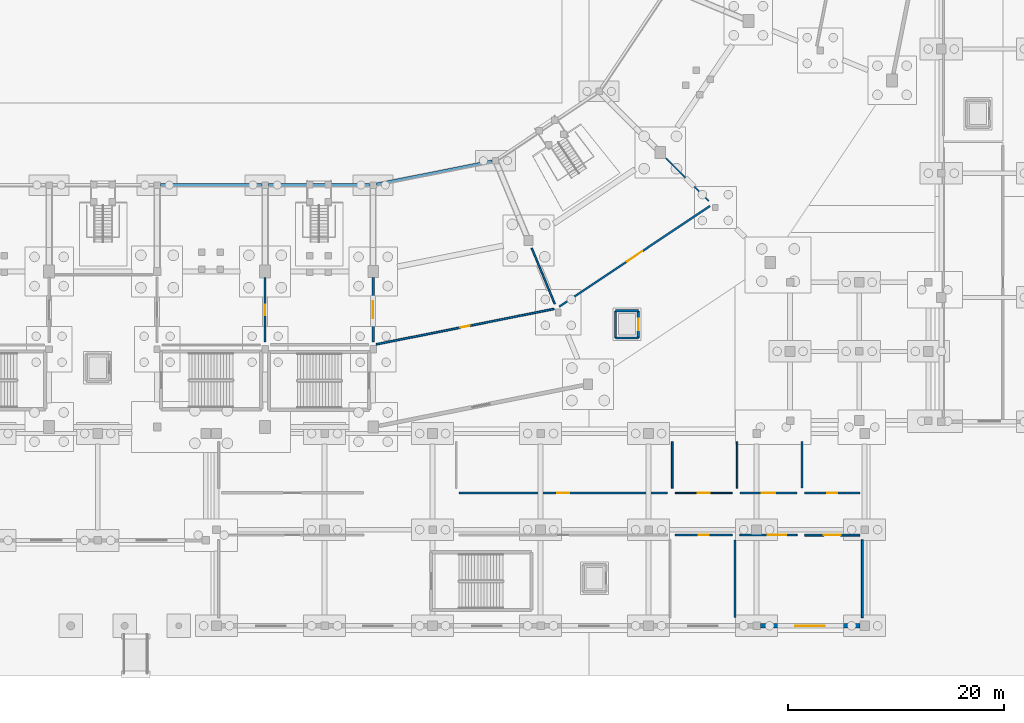
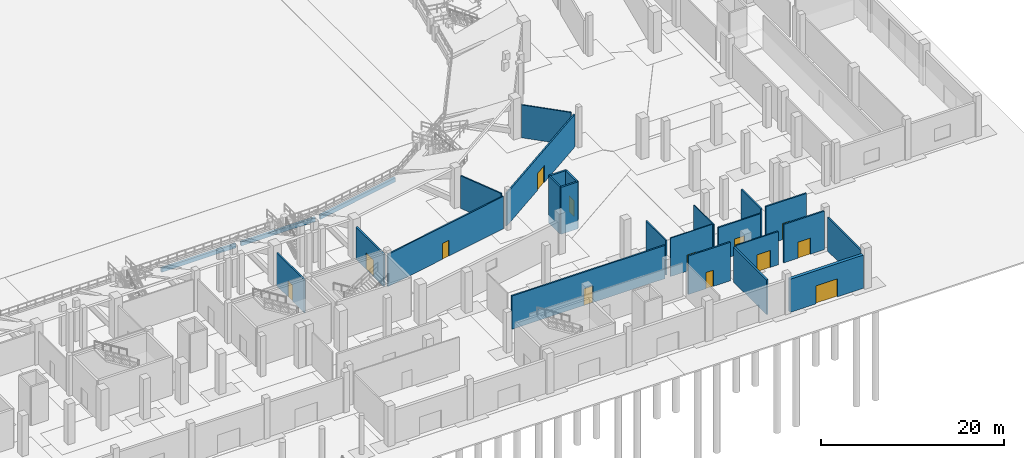
# One storey, part 32 of 68: 26 walls, 13 doors, 13 openings.
"""IFC4 building model written with IfcOpenShell, lengths in metres."""

from ifc_helpers import new_model, si_unit, direction, frame, frame_2d, origin, place, context, subcontext, project, spatial, rectangle, extrude, material, layer, layer_set, type_object, element, fill, save


model = new_model("IFC4")

# Units and contexts
model_context = context("Model", 3, precision=1e-05, world=origin(), true_north=direction((0.0, 1.0)))
body_context = subcontext(model_context, "Body", "Model", "MODEL_VIEW")
ifc_project = project(units=[si_unit("LENGTHUNIT", "METRE"), si_unit("AREAUNIT", "SQUARE_METRE"), si_unit("VOLUMEUNIT", "CUBIC_METRE"), si_unit("PLANEANGLEUNIT", "RADIAN"), si_unit("MASSUNIT", "GRAM", prefix="KILO")], contexts=[model_context])

# Site, building, storey
site_placement = place(None, origin())
site = spatial("IfcSite", under=ifc_project, at=site_placement, CompositionType="ELEMENT")
building_placement = place(site_placement, origin())
building = spatial("IfcBuilding", under=site, at=building_placement, Name="Candeia Ridge Stadium", CompositionType="ELEMENT")
storey_placement = place(building_placement, origin())
storey = spatial("IfcBuildingStorey", under=building, at=storey_placement, Name="L00", CompositionType="ELEMENT", Elevation=0.0)

# Walls
ifc_material_1 = material(Name="Gypsum Metal-Stud Partition", Category="gypsum")
ifc_layer_1 = layer(ifc_material_1, 0.14501953125, Name="Gypsum Metal-Stud Partition", Category="gypsum")
ifc_layer_set_1 = layer_set([ifc_layer_1], Name="Gypsum Metal-Stud Partition")
wall_type_1 = type_object("IfcWallType", Name="Athlete Recovery Partition 145", PredefinedType="PARTITIONING", material=ifc_layer_set_1)
wall_1_placement = place(storey_placement, frame((168.117431640625, 43.882568359375, 0.0), z_axis=(0.0, 0.0, 1.0), x_axis=(0.707106781187, -0.707106781187, 0.0)))
element("IfcWall", 1, at=wall_1_placement, inside=storey, type_object=wall_type_1, Name="Demising partition PT-L00-0161", PredefinedType="PARTITIONING", context=body_context, shape_type="SweptSolid", body=[
    extrude(rectangle(XDim=5.600341796875, YDim=0.14501953125, at=frame_2d((2.80029296875, 0.0))), origin(), (0.0, 0.0, 1.0), 4.375),
])
ifc_material_2 = material(Name="Gypsum Acoustic Twin-Stud Assembly", Category="gypsum")
ifc_layer_2 = layer(ifc_material_2, 0.159912109375, Name="Gypsum Acoustic Twin-Stud Assembly", Category="gypsum")
ifc_layer_set_2 = layer_set([ifc_layer_2], Name="Gypsum Acoustic Twin-Stud Assembly")
wall_type_2 = type_object("IfcWallType", Name="Club Dining Acoustic Partition 160", PredefinedType="PARTITIONING", material=ifc_layer_set_2)
wall_2_placement = place(storey_placement, frame((168.699951171875, 13.35009765625, 0.0), z_axis=(0.0, 0.0, 1.0), x_axis=(0.0, 1.0, 0.0)))
element("IfcWall", 2, at=wall_2_placement, inside=storey, type_object=wall_type_2, Name="Demising partition PT-L00-0075", PredefinedType="PARTITIONING", context=body_context, shape_type="SweptSolid", body=[
    extrude(rectangle(XDim=4.2998046875, YDim=0.159912109375, at=frame_2d((2.14990234375, 0.0))), origin(), (0.0, 0.0, 1.0), 4.625),
])
wall_3_placement = place(storey_placement, frame((155.67578125, 35.5693359375, 0.0), z_axis=(0.0, 0.0, 1.0), x_axis=(0.382682918336, -0.923879745429, 0.0)))
element("IfcWall", 3, at=wall_3_placement, inside=storey, type_object=wall_type_2, Name="Demising partition PT-L00-0159", PredefinedType="PARTITIONING", context=body_context, shape_type="SweptSolid", body=[
    extrude(rectangle(XDim=5.60009765625, YDim=0.159912109375, at=frame_2d((2.800048828125, 0.0))), origin(), (0.0, 0.0, 1.0), 4.344970703125),
])
ifc_layer_3 = layer(ifc_material_2, 0.179931640625, Name="Gypsum Acoustic Twin-Stud Assembly", Category="gypsum")
ifc_layer_set_3 = layer_set([ifc_layer_3], Name="Gypsum Acoustic Twin-Stud Assembly")
wall_type_3 = type_object("IfcWallType", Name="Corridor Fire Partition 180", PredefinedType="PARTITIONING", material=ifc_layer_set_3)
wall_4_placement = place(storey_placement, frame((186.300048828125, 8.550048828125, 0.0), z_axis=(0.0, 0.0, 1.0), x_axis=(0.0, -1.0, 0.0)))
element("IfcWall", 4, at=wall_4_placement, inside=storey, type_object=wall_type_3, Name="Demising partition PT-L00-0080", PredefinedType="PARTITIONING", context=body_context, shape_type="SweptSolid", body=[
    extrude(rectangle(XDim=7.199951171875, YDim=0.179931640625, at=frame_2d((3.60009765625, 0.0))), origin(), (0.0, 0.0, 1.0), 4.47509765625),
])

# Wall, opening, door
wall_5_placement = place(storey_placement, frame((172.1875, 39.465576171875, 0.0), z_axis=(0.0, 0.0, 1.0), x_axis=(-0.831467963177, -0.555572701103, 0.0)))
wall_5 = element("IfcWall", 5, at=wall_5_placement, inside=storey, type_object=wall_type_3, Name="Interior partition PT-L00-0160", PredefinedType="PARTITIONING", context=body_context, shape_type="SweptSolid", body=[
    extrude(rectangle(XDim=16.782958984375, YDim=0.179931640625, at=frame_2d((8.3916015625, 0.0))), origin(), (0.0, 0.0, 1.0), 4.344970703125),
])
opening_1_placement = place(wall_5_placement, frame((7.54150390625, 0.0, 0.0)))
opening_1 = element("IfcOpeningElement", 6, at=opening_1_placement, cuts=wall_5, Name="Opening ID09", PredefinedType="OPENING", context=body_context, shape_type="SweptSolid", body=[
    extrude(rectangle(XDim=1.699951171875, YDim=2.25, at=frame_2d((0.85009765625, 1.125))), frame((0.0, 0.099853515625, 0.0), z_axis=(0.0, -1.0, 0.0), x_axis=(1.0, 0.0, 0.0)), (0.0, 0.0, 1.0), 0.199951171875),
])
ifc_material_3 = material(Name="Timber Fire-Rated Acoustic", Category="wood")
door_type_1 = type_object("IfcDoorType", Name="Founders Lounge Double Door 1700x2250", OperationType="NOTDEFINED", PredefinedType="DOOR", material=ifc_material_3)
door_1_placement = place(opening_1_placement, origin())
door_1 = element("IfcDoor", 7, at=door_1_placement, inside=storey, type_object=door_type_1, Name="Interior room door D-L00-0084", OperationType="DOUBLE_DOOR_SINGLE_SWING", OverallHeight=2.25, OverallWidth=1.699951171875, PredefinedType="DOOR", context=body_context, shape_type="SweptSolid", body=[
    extrude(rectangle(XDim=1.699951171875, YDim=2.25, at=frame_2d((0.85009765625, 1.125))), frame((0.0, 0.02490234375, 0.0), z_axis=(0.0, -1.0, 0.0), x_axis=(1.0, 0.0, 0.0)), (0.0, 0.0, 1.0), 0.050048828125),
])
fill(opening_1, door_1)

# Wall
ifc_material_4 = material(Name="Moisture-Resistant Masonry & Tile", Category="masonry")
ifc_layer_4 = layer(ifc_material_4, 0.22998046875, Name="Moisture-Resistant Masonry & Tile", Category="masonry")
ifc_layer_set_4 = layer_set([ifc_layer_4], Name="Moisture-Resistant Masonry & Tile")
wall_type_4 = type_object("IfcWallType", Name="Dressing Suite Wet-Wall Chase 230", PredefinedType="PLUMBINGWALL", material=ifc_layer_set_4)
wall_6_placement = place(storey_placement, frame((174.5, 8.550048828125, 0.0), z_axis=(0.0, 0.0, 1.0), x_axis=(0.0, -1.0, 0.0)))
element("IfcWall", 8, at=wall_6_placement, inside=storey, type_object=wall_type_4, Name="Demising partition PT-L00-0073", PredefinedType="PLUMBINGWALL", context=body_context, shape_type="SweptSolid", body=[
    extrude(rectangle(XDim=7.199951171875, YDim=0.22998046875, at=frame_2d((3.60009765625, 0.0))), origin(), (0.0, 0.0, 1.0), 4.625),
])

# Wall, opening, door
ifc_material_5 = material(Name="Concrete C40/50", Category="concrete")
ifc_layer_5 = layer(ifc_material_5, 0.3798828125, Name="Concrete C40/50", Category="concrete")
ifc_layer_set_5 = layer_set([ifc_layer_5], Name="Concrete C40/50")
wall_type_5 = type_object("IfcWallType", Name="Exterior Museum Gallery Wall 380", PredefinedType="SOLIDWALL", material=ifc_layer_set_5)
wall_7_placement = place(storey_placement, frame((176.837890625, 0.60009765625, 0.0), z_axis=(0.0, 0.0, 1.0), x_axis=(1.0, 0.0, 0.0)))
wall_7 = element("IfcWall", 9, at=wall_7_placement, inside=storey, type_object=wall_type_5, Name="Exterior facade wall EW-L00-0165", PredefinedType="SOLIDWALL", context=body_context, shape_type="SweptSolid", body=[
    extrude(rectangle(XDim=9.22412109375, YDim=0.3798828125, at=frame_2d((4.612060546875, 0.0))), origin(), (0.0, 0.0, 1.0), 4.425048828125),
])
opening_2_placement = place(wall_7_placement, frame((3.237060546875, 0.0, 0.0)))
opening_2 = element("IfcOpeningElement", 10, at=opening_2_placement, cuts=wall_7, Name="Opening ED01", PredefinedType="OPENING", context=body_context, shape_type="SweptSolid", body=[
    extrude(rectangle(XDim=2.75, YDim=2.39990234375, at=frame_2d((1.375, 1.199951171875))), frame((0.0, 0.199951171875, 0.0), z_axis=(0.0, -1.0, 0.0), x_axis=(1.0, 0.0, 0.0)), (0.0, 0.0, 1.0), 0.39990234375),
])
ifc_material_6 = material(Name="Aluminium Anodized Glazed Door", Category="aluminium")
door_type_2 = type_object("IfcDoorType", Name="Pedestrian Exit Double Door 2750x2400", OperationType="NOTDEFINED", PredefinedType="DOOR", material=ifc_material_6)
door_2_placement = place(opening_2_placement, frame((2.75, 0.0, 0.0), z_axis=(0.0, 0.0, 1.0), x_axis=(-1.0, 0.0, 0.0)))
door_2 = element("IfcDoor", 11, at=door_2_placement, inside=storey, type_object=door_type_2, Name="Pedestrian exit gate G26", OperationType="DOUBLE_DOOR_SINGLE_SWING", OverallHeight=2.39990234375, OverallWidth=2.75, PredefinedType="DOOR", context=body_context, shape_type="SweptSolid", body=[
    extrude(rectangle(XDim=2.75, YDim=2.39990234375, at=frame_2d((1.375, 1.199951171875))), frame((0.0, 0.02490234375, 0.0), z_axis=(0.0, -1.0, 0.0), x_axis=(1.0, 0.0, 0.0)), (0.0, 0.0, 1.0), 0.050048828125),
])
fill(opening_2, door_2)

# Wall
ifc_layer_6 = layer(ifc_material_5, 0.219970703125, Name="Concrete C40/50", Category="concrete")
ifc_layer_set_6 = layer_set([ifc_layer_6], Name="Concrete C40/50")
wall_type_6 = type_object("IfcWallType", Name="Lift & Riser Shaft Wall 220", PredefinedType="SHEAR", material=ifc_layer_set_6)
wall_8_placement = place(storey_placement, frame((163.43994140625, 27.239990234375, -1.10009765625), z_axis=(0.0, 0.0, 1.0), x_axis=(1.0, 0.0, 0.0)))
element("IfcWall", 12, at=wall_8_placement, inside=storey, type_object=wall_type_6, Name="Lift EL1 shaft wall L00 south", PredefinedType="SHEAR", context=body_context, shape_type="SweptSolid", body=[
    extrude(rectangle(XDim=2.1201171875, YDim=0.219970703125, at=frame_2d((1.06005859375, 0.0))), origin(), (0.0, 0.0, 1.0), 6.239990234375),
])

# Wall, opening, door
wall_9_placement = place(storey_placement, frame((165.56005859375, 27.239990234375, -1.10009765625), z_axis=(0.0, 0.0, 1.0), x_axis=(0.0, 1.0, 0.0)))
wall_9 = element("IfcWall", 13, at=wall_9_placement, inside=storey, type_object=wall_type_6, Name="Lift EL1 shaft wall L00 east", PredefinedType="SHEAR", context=body_context, shape_type="SweptSolid", body=[
    extrude(rectangle(XDim=2.52001953125, YDim=0.219970703125, at=frame_2d((1.260009765625, 0.0))), origin(), (0.0, 0.0, 1.0), 6.239990234375),
])
opening_3_placement = place(wall_9_placement, frame((0.735107421875, 0.0, 1.10009765625)))
opening_3 = element("IfcOpeningElement", 14, at=opening_3_placement, cuts=wall_9, Name="Opening LD02", PredefinedType="OPENING", context=body_context, shape_type="SweptSolid", body=[
    extrude(rectangle(XDim=1.050048828125, YDim=2.14990234375, at=frame_2d((0.52490234375, 1.074951171875))), frame((0.0, 0.119873046875, 0.0), z_axis=(0.0, -1.0, 0.0), x_axis=(1.0, 0.0, 0.0)), (0.0, 0.0, 1.0), 0.239990234375),
])
ifc_material_7 = material(Name="Brushed Stainless Steel", Category="steel")
door_type_3 = type_object("IfcDoorType", Name="Passenger Lift Landing Door 1050x2150", OperationType="NOTDEFINED", PredefinedType="DOOR", material=ifc_material_7)
door_3_placement = place(opening_3_placement, origin())
door_3 = element("IfcDoor", 15, at=door_3_placement, inside=storey, type_object=door_type_3, Name="Lift landing sliding door LD-EL1-L00", OperationType="DOUBLE_DOOR_SLIDING", OverallHeight=2.14990234375, OverallWidth=1.050048828125, PredefinedType="DOOR", context=body_context, shape_type="SweptSolid", body=[
    extrude(rectangle(XDim=1.050048828125, YDim=2.14990234375, at=frame_2d((0.52490234375, 1.074951171875))), frame((0.0, 0.02490234375, 0.0), z_axis=(0.0, -1.0, 0.0), x_axis=(1.0, 0.0, 0.0)), (0.0, 0.0, 1.0), 0.050048828125),
])
fill(opening_3, door_3)

# Walls
wall_10_placement = place(storey_placement, frame((165.56005859375, 29.760009765625, -1.10009765625), z_axis=(0.0, 0.0, 1.0), x_axis=(-1.0, 0.0, 0.0)))
element("IfcWall", 16, at=wall_10_placement, inside=storey, type_object=wall_type_6, Name="Lift EL1 shaft wall L00 north", PredefinedType="SHEAR", context=body_context, shape_type="SweptSolid", body=[
    extrude(rectangle(XDim=2.1201171875, YDim=0.219970703125, at=frame_2d((1.06005859375, 0.0))), origin(), (0.0, 0.0, 1.0), 6.239990234375),
])
wall_11_placement = place(storey_placement, frame((163.43994140625, 29.760009765625, -1.10009765625), z_axis=(0.0, 0.0, 1.0), x_axis=(0.0, -1.0, 0.0)))
element("IfcWall", 17, at=wall_11_placement, inside=storey, type_object=wall_type_6, Name="Lift EL1 shaft wall L00 west", PredefinedType="SHEAR", context=body_context, shape_type="SweptSolid", body=[
    extrude(rectangle(XDim=2.52001953125, YDim=0.219970703125, at=frame_2d((1.260009765625, 0.0))), origin(), (0.0, 0.0, 1.0), 6.239990234375),
])

# Wall, opening, door
ifc_material_8 = material(Name="Gypsum Acoustic Triple-Board Wall", Category="gypsum")
ifc_layer_7 = layer(ifc_material_8, 0.18994140625, Name="Gypsum Acoustic Triple-Board Wall", Category="gypsum")
ifc_layer_set_7 = layer_set([ifc_layer_7], Name="Gypsum Acoustic Triple-Board Wall")
wall_type_7 = type_object("IfcWallType", Name="Media & Commentary Studio Wall 190", PredefinedType="PARTITIONING", material=ifc_layer_set_7)
wall_12_placement = place(storey_placement, frame((168.949951171875, 9.0, 0.0), z_axis=(0.0, 0.0, 1.0), x_axis=(1.0, 0.0, 0.0)))
wall_12 = element("IfcWall", 18, at=wall_12_placement, inside=storey, type_object=wall_type_7, Name="Interior partition PT-L00-0072", PredefinedType="PARTITIONING", context=body_context, shape_type="SweptSolid", body=[
    extrude(rectangle(XDim=5.300048828125, YDim=0.18994140625, at=frame_2d((2.64990234375, 0.0))), origin(), (0.0, 0.0, 1.0), 5.1201171875),
])
opening_4_placement = place(wall_12_placement, frame((2.175048828125, 0.0, 0.0)))
opening_4 = element("IfcOpeningElement", 19, at=opening_4_placement, cuts=wall_12, Name="Opening ID05", PredefinedType="OPENING", context=body_context, shape_type="SweptSolid", body=[
    extrude(rectangle(XDim=0.949951171875, YDim=2.14990234375, at=frame_2d((0.47509765625, 1.074951171875))), frame((0.0, 0.10498046875, 0.0), z_axis=(0.0, -1.0, 0.0), x_axis=(1.0, 0.0, 0.0)), (0.0, 0.0, 1.0), 0.2099609375),
])
ifc_material_9 = material(Name="Solid Core Cedar Veneer", Category="wood")
door_type_4 = type_object("IfcDoorType", Name="General Room Single Door 950x2150", OperationType="NOTDEFINED", PredefinedType="DOOR", material=ifc_material_9)
door_4_placement = place(opening_4_placement, origin())
door_4 = element("IfcDoor", 20, at=door_4_placement, inside=storey, type_object=door_type_4, Name="Interior room door D-L00-0039", OperationType="SINGLE_SWING_RIGHT", OverallHeight=2.14990234375, OverallWidth=0.949951171875, PredefinedType="DOOR", context=body_context, shape_type="SweptSolid", body=[
    extrude(rectangle(XDim=0.949951171875, YDim=2.14990234375, at=frame_2d((0.47509765625, 1.074951171875))), frame((0.0, 0.02490234375, 0.0), z_axis=(0.0, -1.0, 0.0), x_axis=(1.0, 0.0, 0.0)), (0.0, 0.0, 1.0), 0.050048828125),
])
fill(opening_4, door_4)

wall_13_placement = place(storey_placement, frame((186.050048828125, 12.89990234375, 0.0), z_axis=(0.0, 0.0, 1.0), x_axis=(-1.0, 0.0, 0.0)))
wall_13 = element("IfcWall", 21, at=wall_13_placement, inside=storey, type_object=wall_type_7, Name="Interior partition PT-L00-0081", PredefinedType="PARTITIONING", context=body_context, shape_type="SweptSolid", body=[
    extrude(rectangle(XDim=5.10009765625, YDim=0.18994140625, at=frame_2d((2.550048828125, 0.0))), origin(), (0.0, 0.0, 1.0), 5.1201171875),
])
opening_5_placement = place(wall_13_placement, frame((2.070068359375, 0.0, 0.0)))
opening_5 = element("IfcOpeningElement", 22, at=opening_5_placement, cuts=wall_13, Name="Opening ID17", PredefinedType="OPENING", context=body_context, shape_type="SweptSolid", body=[
    extrude(rectangle(XDim=0.9599609375, YDim=2.14990234375, at=frame_2d((0.47998046875, 1.074951171875))), frame((0.0, 0.10498046875, 0.0), z_axis=(0.0, -1.0, 0.0), x_axis=(1.0, 0.0, 0.0)), (0.0, 0.0, 1.0), 0.2099609375),
])
door_type_5 = type_object("IfcDoorType", Name="Ticketing Office Single Door 960x2150", OperationType="NOTDEFINED", PredefinedType="DOOR", material=ifc_material_9)
door_5_placement = place(opening_5_placement, origin())
door_5 = element("IfcDoor", 23, at=door_5_placement, inside=storey, type_object=door_type_5, Name="Interior room door D-L00-0044", OperationType="SINGLE_SWING_LEFT", OverallHeight=2.14990234375, OverallWidth=0.9599609375, PredefinedType="DOOR", context=body_context, shape_type="SweptSolid", body=[
    extrude(rectangle(XDim=0.9599609375, YDim=2.14990234375, at=frame_2d((0.47998046875, 1.074951171875))), frame((0.0, 0.02490234375, 0.0), z_axis=(0.0, -1.0, 0.0), x_axis=(1.0, 0.0, 0.0)), (0.0, 0.0, 1.0), 0.050048828125),
])
fill(opening_5, door_5)

# Wall
wall_14_placement = place(storey_placement, frame((180.699951171875, 13.35009765625, 0.0), z_axis=(0.0, 0.0, 1.0), x_axis=(0.0, 1.0, 0.0)))
element("IfcWall", 24, at=wall_14_placement, inside=storey, type_object=wall_type_7, Name="Demising partition PT-L00-0082", PredefinedType="PARTITIONING", context=body_context, shape_type="SweptSolid", body=[
    extrude(rectangle(XDim=4.2998046875, YDim=0.18994140625, at=frame_2d((2.14990234375, 0.0))), origin(), (0.0, 0.0, 1.0), 4.625),
])

# Wall, opening, door
wall_15_placement = place(storey_placement, frame((131.0, 32.85009765625, 0.0), z_axis=(0.0, 0.0, 1.0), x_axis=(0.0, -1.0, 0.0)))
wall_15 = element("IfcWall", 25, at=wall_15_placement, inside=storey, type_object=wall_type_7, Name="Interior partition PT-L00-0154", PredefinedType="PARTITIONING", context=body_context, shape_type="SweptSolid", body=[
    extrude(rectangle(XDim=6.0, YDim=0.18994140625, at=frame_2d((3.0, 0.0))), origin(), (0.0, 0.0, 1.0), 4.385009765625),
])
opening_6_placement = place(wall_15_placement, frame((2.52001953125, 0.0, 0.0)))
opening_6 = element("IfcOpeningElement", 26, at=opening_6_placement, cuts=wall_15, Name="Opening ID17", PredefinedType="OPENING", context=body_context, shape_type="SweptSolid", body=[
    extrude(rectangle(XDim=0.9599609375, YDim=2.14990234375, at=frame_2d((0.47998046875, 1.074951171875))), frame((0.0, 0.10498046875, 0.0), z_axis=(0.0, -1.0, 0.0), x_axis=(1.0, 0.0, 0.0)), (0.0, 0.0, 1.0), 0.2099609375),
])
door_6_placement = place(opening_6_placement, frame((0.9599609375, 0.0, 0.0), z_axis=(0.0, 0.0, 1.0), x_axis=(-1.0, 0.0, 0.0)))
door_6 = element("IfcDoor", 27, at=door_6_placement, inside=storey, type_object=door_type_5, Name="Interior room door D-L00-0081", OperationType="SINGLE_SWING_RIGHT", OverallHeight=2.14990234375, OverallWidth=0.9599609375, PredefinedType="DOOR", context=body_context, shape_type="SweptSolid", body=[
    extrude(rectangle(XDim=0.9599609375, YDim=2.14990234375, at=frame_2d((0.47998046875, 1.074951171875))), frame((0.0, 0.02490234375, 0.0), z_axis=(0.0, -1.0, 0.0), x_axis=(1.0, 0.0, 0.0)), (0.0, 0.0, 1.0), 0.050048828125),
])
fill(opening_6, door_6)

ifc_layer_8 = layer(ifc_material_8, 0.18505859375, Name="Gypsum Acoustic Triple-Board Wall", Category="gypsum")
ifc_layer_set_8 = layer_set([ifc_layer_8], Name="Gypsum Acoustic Triple-Board Wall")
wall_type_8 = type_object("IfcWallType", Name="Media Booth Studio Divider 185", PredefinedType="PARTITIONING", material=ifc_layer_set_8)
wall_16_placement = place(storey_placement, frame((168.25, 12.89990234375, 0.0), z_axis=(0.0, 0.0, 1.0), x_axis=(-1.0, 0.0, 0.0)))
wall_16 = element("IfcWall", 28, at=wall_16_placement, inside=storey, type_object=wall_type_8, Name="Interior partition PT-L00-0070", PredefinedType="PARTITIONING", context=body_context, shape_type="SweptSolid", body=[
    extrude(rectangle(XDim=19.300048828125, YDim=0.18505859375, at=frame_2d((9.64990234375, 0.0))), origin(), (0.0, 0.0, 1.0), 4.425048828125),
])
opening_7_placement = place(wall_16_placement, frame((9.074951171875, 0.0, 0.0)))
opening_7 = element("IfcOpeningElement", 29, at=opening_7_placement, cuts=wall_16, Name="Opening ID02", PredefinedType="OPENING", context=body_context, shape_type="SweptSolid", body=[
    extrude(rectangle(XDim=1.14990234375, YDim=2.199951171875, at=frame_2d((0.574951171875, 1.10009765625))), frame((0.0, 0.1025390625, 0.0), z_axis=(0.0, -1.0, 0.0), x_axis=(1.0, 0.0, 0.0)), (0.0, 0.0, 1.0), 0.205078125),
])
ifc_material_10 = material(Name="Acoustic Timber Studio Leaf", Category="wood")
door_type_6 = type_object("IfcDoorType", Name="Broadcast & Press Studio Door 1150x2200", OperationType="NOTDEFINED", PredefinedType="DOOR", material=ifc_material_10)
door_7_placement = place(opening_7_placement, origin())
door_7 = element("IfcDoor", 30, at=door_7_placement, inside=storey, type_object=door_type_6, Name="Interior room door D-L00-0038", OperationType="SINGLE_SWING_LEFT", OverallHeight=2.199951171875, OverallWidth=1.14990234375, PredefinedType="DOOR", context=body_context, shape_type="SweptSolid", body=[
    extrude(rectangle(XDim=1.14990234375, YDim=2.199951171875, at=frame_2d((0.574951171875, 1.10009765625))), frame((0.0, 0.02490234375, 0.0), z_axis=(0.0, -1.0, 0.0), x_axis=(1.0, 0.0, 0.0)), (0.0, 0.0, 1.0), 0.050048828125),
])
fill(opening_7, door_7)

wall_17_placement = place(storey_placement, frame((180.949951171875, 9.0, 0.0), z_axis=(0.0, 0.0, 1.0), x_axis=(1.0, 0.0, 0.0)))
wall_17 = element("IfcWall", 31, at=wall_17_placement, inside=storey, type_object=wall_type_8, Name="Interior partition PT-L00-0079", PredefinedType="PARTITIONING", context=body_context, shape_type="SweptSolid", body=[
    extrude(rectangle(XDim=5.10009765625, YDim=0.18505859375, at=frame_2d((2.550048828125, 0.0))), origin(), (0.0, 0.0, 1.0), 5.1201171875),
])
opening_8_placement = place(wall_17_placement, frame((1.77490234375, 0.0, 0.0)))
opening_8 = element("IfcOpeningElement", 32, at=opening_8_placement, cuts=wall_17, Name="Opening ID14", PredefinedType="OPENING", context=body_context, shape_type="SweptSolid", body=[
    extrude(rectangle(XDim=1.550048828125, YDim=2.14990234375, at=frame_2d((0.77490234375, 1.074951171875))), frame((0.0, 0.1025390625, 0.0), z_axis=(0.0, -1.0, 0.0), x_axis=(1.0, 0.0, 0.0)), (0.0, 0.0, 1.0), 0.205078125),
])
door_type_7 = type_object("IfcDoorType", Name="Catering Kitchen Double Door 1550x2150", OperationType="NOTDEFINED", PredefinedType="DOOR", material=ifc_material_7)
door_8_placement = place(opening_8_placement, origin())
door_8 = element("IfcDoor", 33, at=door_8_placement, inside=storey, type_object=door_type_7, Name="Interior room door D-L00-0043", OperationType="DOUBLE_DOOR_SINGLE_SWING", OverallHeight=2.14990234375, OverallWidth=1.550048828125, PredefinedType="DOOR", context=body_context, shape_type="SweptSolid", body=[
    extrude(rectangle(XDim=1.550048828125, YDim=2.14990234375, at=frame_2d((0.77490234375, 1.074951171875))), frame((0.0, 0.02490234375, 0.0), z_axis=(0.0, -1.0, 0.0), x_axis=(1.0, 0.0, 0.0)), (0.0, 0.0, 1.0), 0.050048828125),
])
fill(opening_8, door_8)

ifc_layer_9 = layer(ifc_material_2, 0.175048828125, Name="Gypsum Acoustic Twin-Stud Assembly", Category="gypsum")
ifc_layer_set_9 = layer_set([ifc_layer_9], Name="Gypsum Acoustic Twin-Stud Assembly")
wall_type_9 = type_object("IfcWallType", Name="Museum Acoustic Gallery Wall 175", PredefinedType="PARTITIONING", material=ifc_layer_set_9)
wall_18_placement = place(storey_placement, frame((174.949951171875, 9.0, 0.0), z_axis=(0.0, 0.0, 1.0), x_axis=(1.0, 0.0, 0.0)))
wall_18 = element("IfcWall", 34, at=wall_18_placement, inside=storey, type_object=wall_type_9, Name="Interior partition PT-L00-0076", PredefinedType="PARTITIONING", context=body_context, shape_type="SweptSolid", body=[
    extrude(rectangle(XDim=5.300048828125, YDim=0.175048828125, at=frame_2d((2.64990234375, 0.0))), origin(), (0.0, 0.0, 1.0), 4.425048828125),
])
opening_9_placement = place(wall_18_placement, frame((2.60009765625, 0.0, 0.0)))
opening_9 = element("IfcOpeningElement", 35, at=opening_9_placement, cuts=wall_18, Name="Opening ID09", PredefinedType="OPENING", context=body_context, shape_type="SweptSolid", body=[
    extrude(rectangle(XDim=1.699951171875, YDim=2.25, at=frame_2d((0.85009765625, 1.125))), frame((0.0, 0.097412109375, 0.0), z_axis=(0.0, -1.0, 0.0), x_axis=(1.0, 0.0, 0.0)), (0.0, 0.0, 1.0), 0.195068359375),
])
door_9_placement = place(opening_9_placement, origin())
door_9 = element("IfcDoor", 36, at=door_9_placement, inside=storey, type_object=door_type_1, Name="Interior room door D-L00-0041", OperationType="DOUBLE_DOOR_SINGLE_SWING", OverallHeight=2.25, OverallWidth=1.699951171875, PredefinedType="DOOR", context=body_context, shape_type="SweptSolid", body=[
    extrude(rectangle(XDim=1.699951171875, YDim=2.25, at=frame_2d((0.85009765625, 1.125))), frame((0.0, 0.02490234375, 0.0), z_axis=(0.0, -1.0, 0.0), x_axis=(1.0, 0.0, 0.0)), (0.0, 0.0, 1.0), 0.050048828125),
])
fill(opening_9, door_9)

# Walls
ifc_material_11 = material(Name="Concrete C45/55", Category="concrete")
ifc_layer_10 = layer(ifc_material_11, 0.264892578125, Name="Concrete C45/55", Category="concrete")
ifc_layer_set_10 = layer_set([ifc_layer_10], Name="Concrete C45/55")
wall_type_10 = type_object("IfcWallType", Name="Pitch-Side Moat Retaining Wall 265", PredefinedType="SOLIDWALL", material=ifc_layer_set_10)
for number, where, z_axis, x_axis, name in (
    (37, (121.320068359375, 41.39990234375, 0.0), (0.0, 0.0, 1.0), (1.0, 0.0, 0.0), "Pitch-side moat wall EW-L00-0032"),
    (38, (131.320068359375, 41.39990234375, 0.0), (0.0, 0.0, 1.0), (1.0, 0.0, 0.0), "Pitch-side moat wall EW-L00-0033"),
):
    element("IfcWall", number, at=place(storey_placement, frame(where, z_axis=z_axis, x_axis=x_axis)), inside=storey, type_object=wall_type_10, Name=name, PredefinedType="SOLIDWALL", context=body_context, shape_type="SweptSolid", body=[
        extrude(rectangle(XDim=9.35986328125, YDim=0.264892578125, at=frame_2d((4.679931640625, 0.0))), origin(), (0.0, 0.0, 1.0), 0.5400390625),
    ])
wall_19_placement = place(storey_placement, frame((141.31396484375, 41.46240234375, 0.0), z_axis=(0.0, 0.0, 1.0), x_axis=(0.980783282406, 0.195100366358, 0.0)))
element("IfcWall", 39, at=wall_19_placement, inside=storey, type_object=wall_type_10, Name="Pitch-side moat wall EW-L00-0034", PredefinedType="SOLIDWALL", context=body_context, shape_type="SweptSolid", body=[
    extrude(rectangle(XDim=10.909423828125, YDim=0.264892578125, at=frame_2d((5.45458984375, 0.0))), origin(), (0.0, 0.0, 1.0), 0.5400390625),
])

# Wall, opening, door
ifc_layer_11 = layer(ifc_material_4, 0.2099609375, Name="Moisture-Resistant Masonry & Tile", Category="masonry")
ifc_layer_set_11 = layer_set([ifc_layer_11], Name="Moisture-Resistant Masonry & Tile")
wall_type_11 = type_object("IfcWallType", Name="Sanitary Wet-Wall Plumbing Chase 210", PredefinedType="PLUMBINGWALL", material=ifc_layer_set_11)
wall_20_placement = place(storey_placement, frame((141.0, 32.85009765625, 0.0), z_axis=(0.0, 0.0, 1.0), x_axis=(0.0, -1.0, 0.0)))
wall_20 = element("IfcWall", 40, at=wall_20_placement, inside=storey, type_object=wall_type_11, Name="Interior partition PT-L00-0156", PredefinedType="PLUMBINGWALL", context=body_context, shape_type="SweptSolid", body=[
    extrude(rectangle(XDim=6.0, YDim=0.2099609375, at=frame_2d((3.0, 0.0))), origin(), (0.0, 0.0, 1.0), 4.304931640625),
])
opening_10_placement = place(wall_20_placement, frame((2.199951171875, 0.0, 0.0)))
opening_10 = element("IfcOpeningElement", 41, at=opening_10_placement, cuts=wall_20, Name="Opening ID03", PredefinedType="OPENING", context=body_context, shape_type="SweptSolid", body=[
    extrude(rectangle(XDim=1.60009765625, YDim=2.199951171875, at=frame_2d((0.800048828125, 1.10009765625))), frame((0.0, 0.114990234375, 0.0), z_axis=(0.0, -1.0, 0.0), x_axis=(1.0, 0.0, 0.0)), (0.0, 0.0, 1.0), 0.22998046875),
])
ifc_material_12 = material(Name="Solid Core Hardwood Veneer", Category="wood")
door_type_8 = type_object("IfcDoorType", Name="Athlete Dressing Double Door 1600x2200", OperationType="NOTDEFINED", PredefinedType="DOOR", material=ifc_material_12)
door_10_placement = place(opening_10_placement, origin())
door_10 = element("IfcDoor", 42, at=door_10_placement, inside=storey, type_object=door_type_8, Name="Interior room door D-L00-0082", OperationType="DOUBLE_DOOR_SINGLE_SWING", OverallHeight=2.199951171875, OverallWidth=1.60009765625, PredefinedType="DOOR", context=body_context, shape_type="SweptSolid", body=[
    extrude(rectangle(XDim=1.60009765625, YDim=2.199951171875, at=frame_2d((0.800048828125, 1.10009765625))), frame((0.0, 0.02490234375, 0.0), z_axis=(0.0, -1.0, 0.0), x_axis=(1.0, 0.0, 0.0)), (0.0, 0.0, 1.0), 0.050048828125),
])
fill(opening_10, door_10)

ifc_layer_12 = layer(ifc_material_2, 0.169921875, Name="Gypsum Acoustic Twin-Stud Assembly", Category="gypsum")
ifc_layer_set_12 = layer_set([ifc_layer_12], Name="Gypsum Acoustic Twin-Stud Assembly")
wall_type_12 = type_object("IfcWallType", Name="Skybox Demising Acoustic Wall 170", PredefinedType="PARTITIONING", material=ifc_layer_set_12)
wall_21_placement = place(storey_placement, frame((180.25, 12.89990234375, 0.0), z_axis=(0.0, 0.0, 1.0), x_axis=(-1.0, 0.0, 0.0)))
wall_21 = element("IfcWall", 43, at=wall_21_placement, inside=storey, type_object=wall_type_12, Name="Interior partition PT-L00-0077", PredefinedType="PARTITIONING", context=body_context, shape_type="SweptSolid", body=[
    extrude(rectangle(XDim=5.300048828125, YDim=0.169921875, at=frame_2d((2.64990234375, 0.0))), origin(), (0.0, 0.0, 1.0), 4.425048828125),
])
opening_11_placement = place(wall_21_placement, frame((2.02490234375, 0.0, 0.0)))
opening_11 = element("IfcOpeningElement", 44, at=opening_11_placement, cuts=wall_21, Name="Opening ID11", PredefinedType="OPENING", context=body_context, shape_type="SweptSolid", body=[
    extrude(rectangle(XDim=1.25, YDim=2.199951171875, at=frame_2d((0.625, 1.10009765625))), frame((0.0, 0.094970703125, 0.0), z_axis=(0.0, -1.0, 0.0), x_axis=(1.0, 0.0, 0.0)), (0.0, 0.0, 1.0), 0.18994140625),
])
door_type_9 = type_object("IfcDoorType", Name="Press Tribune Acoustic Door 1250x2200", OperationType="NOTDEFINED", PredefinedType="DOOR", material=ifc_material_10)
door_11_placement = place(opening_11_placement, frame((1.25, 0.0, 0.0), z_axis=(0.0, 0.0, 1.0), x_axis=(-1.0, 0.0, 0.0)))
door_11 = element("IfcDoor", 45, at=door_11_placement, inside=storey, type_object=door_type_9, Name="Interior room door D-L00-0042", OperationType="SINGLE_SWING_RIGHT", OverallHeight=2.199951171875, OverallWidth=1.25, PredefinedType="DOOR", context=body_context, shape_type="SweptSolid", body=[
    extrude(rectangle(XDim=1.25, YDim=2.199951171875, at=frame_2d((0.625, 1.10009765625))), frame((0.0, 0.02490234375, 0.0), z_axis=(0.0, -1.0, 0.0), x_axis=(1.0, 0.0, 0.0)), (0.0, 0.0, 1.0), 0.050048828125),
])
fill(opening_11, door_11)

wall_22_placement = place(storey_placement, frame((157.745849609375, 29.930908203125, 0.0), z_axis=(0.0, 0.0, 1.0), x_axis=(-0.980786027867, -0.195086564225, 0.0)))
wall_22 = element("IfcWall", 46, at=wall_22_placement, inside=storey, type_object=wall_type_12, Name="Interior partition PT-L00-0158", PredefinedType="PARTITIONING", context=body_context, shape_type="SweptSolid", body=[
    extrude(rectangle(XDim=16.783203125, YDim=0.169921875, at=frame_2d((8.3916015625, 0.0))), origin(), (0.0, 0.0, 1.0), 4.304931640625),
])
opening_12_placement = place(wall_22_placement, frame((7.941650390625, 0.0, 0.0)))
opening_12 = element("IfcOpeningElement", 47, at=opening_12_placement, cuts=wall_22, Name="Opening ID07", PredefinedType="OPENING", context=body_context, shape_type="SweptSolid", body=[
    extrude(rectangle(XDim=0.89990234375, YDim=2.10009765625, at=frame_2d((0.449951171875, 1.050048828125))), frame((0.0, 0.094970703125, 0.0), z_axis=(0.0, -1.0, 0.0), x_axis=(1.0, 0.0, 0.0)), (0.0, 0.0, 1.0), 0.18994140625),
])
ifc_material_13 = material(Name="Moisture-Resistant Laminate", Category="wood")
door_type_10 = type_object("IfcDoorType", Name="Sanitary Lobby Single Door 900x2100", OperationType="NOTDEFINED", PredefinedType="DOOR", material=ifc_material_13)
door_12_placement = place(opening_12_placement, origin())
door_12 = element("IfcDoor", 48, at=door_12_placement, inside=storey, type_object=door_type_10, Name="Interior room door D-L00-0083", OperationType="SINGLE_SWING_LEFT", OverallHeight=2.10009765625, OverallWidth=0.89990234375, PredefinedType="DOOR", context=body_context, shape_type="SweptSolid", body=[
    extrude(rectangle(XDim=0.89990234375, YDim=2.10009765625, at=frame_2d((0.449951171875, 1.050048828125))), frame((0.0, 0.02490234375, 0.0), z_axis=(0.0, -1.0, 0.0), x_axis=(1.0, 0.0, 0.0)), (0.0, 0.0, 1.0), 0.050048828125),
])
fill(opening_12, door_12)

ifc_layer_13 = layer(ifc_material_1, 0.1201171875, Name="Gypsum Metal-Stud Partition", Category="gypsum")
ifc_layer_set_13 = layer_set([ifc_layer_13], Name="Gypsum Metal-Stud Partition")
wall_type_13 = type_object("IfcWallType", Name="Suite Internal Divider 120", PredefinedType="PARTITIONING", material=ifc_layer_set_13)
wall_23_placement = place(storey_placement, frame((174.25, 12.89990234375, 0.0), z_axis=(0.0, 0.0, 1.0), x_axis=(-1.0, 0.0, 0.0)))
wall_23 = element("IfcWall", 49, at=wall_23_placement, inside=storey, type_object=wall_type_13, Name="Interior partition PT-L00-0074", PredefinedType="PARTITIONING", context=body_context, shape_type="SweptSolid", body=[
    extrude(rectangle(XDim=5.300048828125, YDim=0.1201171875, at=frame_2d((2.64990234375, 0.0))), origin(), (0.0, 0.0, 1.0), 5.1201171875),
])
opening_13_placement = place(wall_23_placement, frame((2.10009765625, 0.0, 0.0)))
opening_13 = element("IfcOpeningElement", 50, at=opening_13_placement, cuts=wall_23, Name="Opening FD04", PredefinedType="OPENING", context=body_context, shape_type="SweptSolid", body=[
    extrude(rectangle(XDim=1.10009765625, YDim=2.14990234375, at=frame_2d((0.550048828125, 1.074951171875))), frame((0.0, 0.070068359375, 0.0), z_axis=(0.0, -1.0, 0.0), x_axis=(1.0, 0.0, 0.0)), (0.0, 0.0, 1.0), 0.14013671875),
])
ifc_material_14 = material(Name="Galvanized Fire-Rated Steel", Category="steel")
door_type_11 = type_object("IfcDoorType", Name="Plant & Riser Rated Door 1100x2150", OperationType="NOTDEFINED", PredefinedType="DOOR", material=ifc_material_14)
door_13_placement = place(opening_13_placement, frame((1.10009765625, 0.0, 0.0), z_axis=(0.0, 0.0, 1.0), x_axis=(-1.0, 0.0, 0.0)))
door_13 = element("IfcDoor", 51, at=door_13_placement, inside=storey, type_object=door_type_11, Name="Interior room door D-L00-0040", OperationType="SINGLE_SWING_LEFT", OverallHeight=2.14990234375, OverallWidth=1.10009765625, PredefinedType="DOOR", context=body_context, shape_type="SweptSolid", body=[
    extrude(rectangle(XDim=1.10009765625, YDim=2.14990234375, at=frame_2d((0.550048828125, 1.074951171875))), frame((0.0, 0.02490234375, 0.0), z_axis=(0.0, -1.0, 0.0), x_axis=(1.0, 0.0, 0.0)), (0.0, 0.0, 1.0), 0.050048828125),
])
fill(opening_13, door_13)

# Wall
ifc_layer_14 = layer(ifc_material_1, 0.1298828125, Name="Gypsum Metal-Stud Partition", Category="gypsum")
ifc_layer_set_14 = layer_set([ifc_layer_14], Name="Gypsum Metal-Stud Partition")
wall_type_14 = type_object("IfcWallType", Name="Ticketing Back-Office Partition 130", PredefinedType="PARTITIONING", material=ifc_layer_set_14)
wall_24_placement = place(storey_placement, frame((174.699951171875, 13.35009765625, 0.0), z_axis=(0.0, 0.0, 1.0), x_axis=(0.0, 1.0, 0.0)))
element("IfcWall", 52, at=wall_24_placement, inside=storey, type_object=wall_type_14, Name="Demising partition PT-L00-0078", PredefinedType="PARTITIONING", context=body_context, shape_type="SweptSolid", body=[
    extrude(rectangle(XDim=4.2998046875, YDim=0.1298828125, at=frame_2d((2.14990234375, 0.0))), origin(), (0.0, 0.0, 1.0), 4.625),
])

save(model, "model.ifc")
